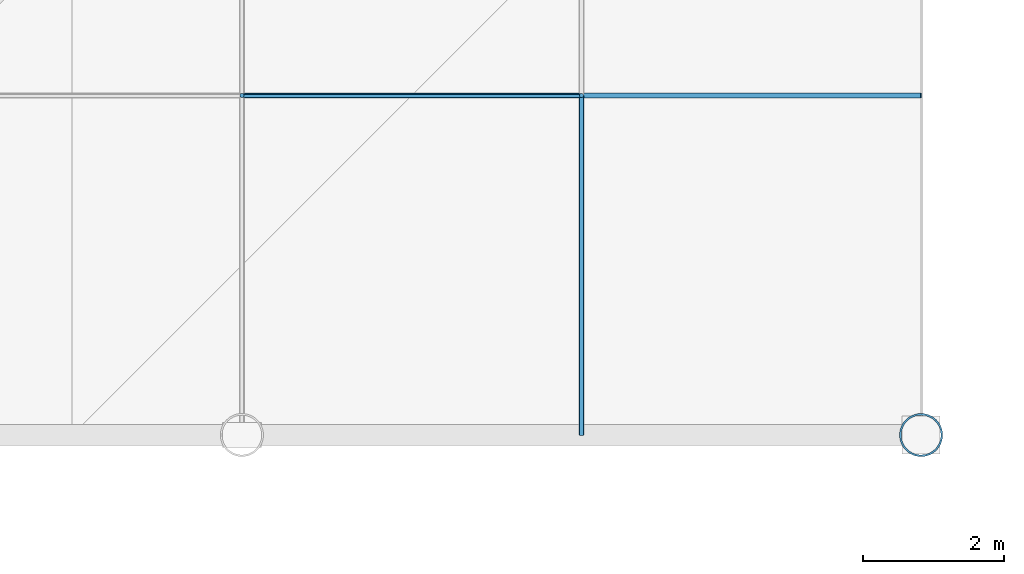
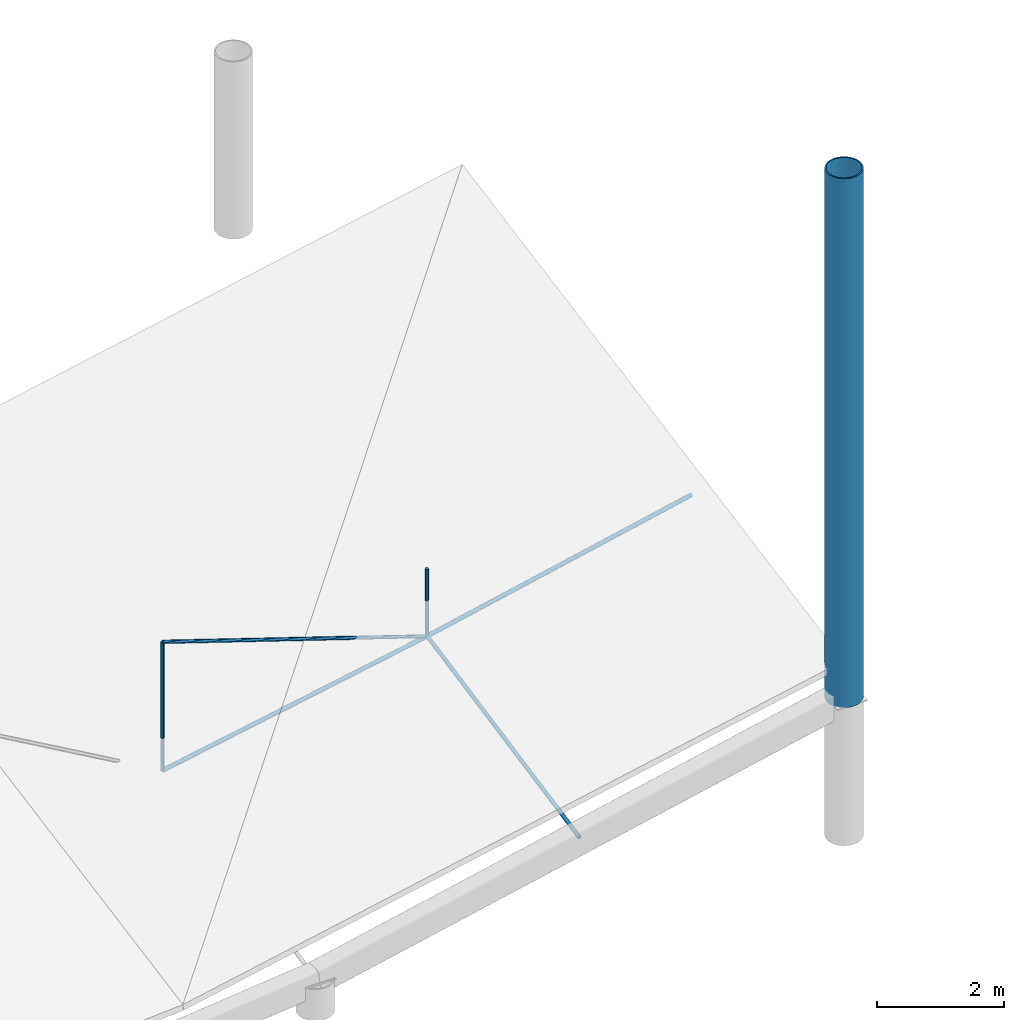
# One storey, part 18 of 40: 7 members.
"""IFC4 building model written with IfcOpenShell, lengths in metres."""

from ifc_helpers import new_model, si_unit, direction, frame, origin, origin_2d, place, context, subcontext, project, spatial, circle, hollow_circle, extrude, material, material_profile, profile_set, type_object, element, save


model = new_model("IFC4")

# Units and contexts
model_context = context("Model", 3, precision=1e-05, world=origin(), true_north=direction((0.0, 1.0)))
body_context = subcontext(model_context, "Body", "Model", "MODEL_VIEW")
ifc_project = project(units=[si_unit("LENGTHUNIT", "METRE"), si_unit("AREAUNIT", "SQUARE_METRE"), si_unit("VOLUMEUNIT", "CUBIC_METRE"), si_unit("PLANEANGLEUNIT", "RADIAN"), si_unit("MASSUNIT", "GRAM", prefix="KILO")], contexts=[model_context])

# Site, building, storey
site_placement = place(None, origin())
site = spatial("IfcSite", under=ifc_project, at=site_placement, CompositionType="ELEMENT")
building_placement = place(site_placement, origin())
building = spatial("IfcBuilding", under=site, at=building_placement, Name="Zevrakil Square Congress Hotel", CompositionType="ELEMENT")
storey_placement = place(building_placement, frame((0.0, 0.0, 18.10009765625)))
storey = spatial("IfcBuildingStorey", under=building, at=storey_placement, Name="L05", CompositionType="ELEMENT", Elevation=18.10009765625)

# Members
ifc_material_1 = material(Name="Steel S355", Category="steel")
ifc_material_profile_1 = material_profile(ifc_material_1, circle(Radius=0.030029296875, at=origin_2d()), Name="CABLE RD60")
ifc_profile_set_1 = profile_set([ifc_material_profile_1], Name="Steel S355")
member_type_1 = type_object("IfcMemberType", Name="MEM-CABLE-RD60", PredefinedType="USERDEFINED", material=ifc_profile_set_1)
member_1_placement = place(storey_placement, frame((156.0, 69.60009765625, 1.681884765625), z_axis=(0.0, 0.0, 1.0), x_axis=(1.0, 0.0, 0.0)))
element("IfcMember", 1, at=member_1_placement, inside=storey, type_object=member_type_1, Name="Congress cable-truss vertical tie CBW-01-8", ObjectType="ROOF CABLE", PredefinedType="USERDEFINED", context=body_context, shape_type="SweptSolid", body=[
    extrude(circle(Radius=0.030029296875, at=origin_2d()), origin(), (0.0, 0.0, 1.0), 2.46875),
])
member_2_placement = place(storey_placement, frame((160.800048828125, 69.60009765625, 2.577880859375), z_axis=(-0.95029004287, 0.0, 0.311366077828), x_axis=(0.0, -1.0, 0.0)))
element("IfcMember", 2, at=member_2_placement, inside=storey, type_object=member_type_1, Name="Congress cable-truss web diagonal CBD-01-9", ObjectType="ROOF CABLE", PredefinedType="USERDEFINED", context=body_context, shape_type="SweptSolid", body=[
    extrude(circle(Radius=0.030029296875, at=origin_2d()), origin(), (0.0, 0.0, 1.0), 5.051025390625),
])
member_3_placement = place(storey_placement, frame((160.800048828125, 69.60009765625, 2.577880859375), z_axis=(0.0, 0.0, 1.0), x_axis=(1.0, 0.0, 0.0)))
element("IfcMember", 3, at=member_3_placement, inside=storey, type_object=member_type_1, Name="Congress cable-truss vertical tie CBW-01-9", ObjectType="ROOF CABLE", PredefinedType="USERDEFINED", context=body_context, shape_type="SweptSolid", body=[
    extrude(circle(Radius=0.030029296875, at=origin_2d()), origin(), (0.0, 0.0, 1.0), 1.2978515625),
])
ifc_material_2 = material(Name="Steel S355", Category="steel")
ifc_material_profile_2 = material_profile(ifc_material_2, circle(Radius=0.033935546875, at=origin_2d()), Name="CABLE RD68")
ifc_profile_set_2 = profile_set([ifc_material_profile_2], Name="Steel S355")
member_type_2 = type_object("IfcMemberType", Name="MEM-CABLE-RD68", PredefinedType="USERDEFINED", material=ifc_profile_set_2)
member_4_placement = place(storey_placement, frame((160.800048828125, 64.800048828125, 1.6259765625), z_axis=(0.0, 0.980505798462, 0.196490150345), x_axis=(-1.0, 0.0, 0.0)))
element("IfcMember", 4, at=member_4_placement, inside=storey, type_object=member_type_2, Name="Congress saddle stabilizing cable CBH-09 seg 1", ObjectType="ROOF CABLE", PredefinedType="USERDEFINED", context=body_context, shape_type="SweptSolid", body=[
    extrude(circle(Radius=0.033935546875, at=origin_2d()), origin(), (0.0, 0.0, 1.0), 4.8955078125),
])
ifc_material_3 = material(Name="Steel S355", Category="steel")
ifc_material_profile_3 = material_profile(ifc_material_3, circle(Radius=0.0380859375, at=origin_2d()), Name="CABLE RD76")
ifc_profile_set_3 = profile_set([ifc_material_profile_3], Name="Steel S355")
member_type_3 = type_object("IfcMemberType", Name="MEM-CABLE-RD76", PredefinedType="USERDEFINED", material=ifc_profile_set_3)
member_5_placement = place(storey_placement, frame((156.0, 69.60009765625, 1.681884765625), z_axis=(0.983020729765, 0.0, 0.183494536302), x_axis=(0.0, 1.0, 0.0)))
element("IfcMember", 5, at=member_5_placement, inside=storey, type_object=member_type_3, Name="Congress saddle carrying cable CBS-01 seg 9", ObjectType="ROOF CABLE", PredefinedType="USERDEFINED", context=body_context, shape_type="SweptSolid", body=[
    extrude(circle(Radius=0.0380859375, at=origin_2d()), origin(), (0.0, 0.0, 1.0), 4.883056640625),
])
member_6_placement = place(storey_placement, frame((160.800048828125, 69.60009765625, 2.577880859375), z_axis=(0.977660289196, 0.0, 0.210191243702), x_axis=(0.0, 1.0, 0.0)))
element("IfcMember", 6, at=member_6_placement, inside=storey, type_object=member_type_3, Name="Congress saddle carrying cable CBS-01 seg 10", ObjectType="ROOF CABLE", PredefinedType="USERDEFINED", context=body_context, shape_type="SweptSolid", body=[
    extrude(circle(Radius=0.0380859375, at=origin_2d()), origin(), (0.0, 0.0, 1.0), 4.90966796875),
])
ifc_material_4 = material(Name="Steel S355", Category="steel")
ifc_material_profile_4 = material_profile(ifc_material_4, hollow_circle(Radius=0.304931640625, WallThickness=0.02490234375, at=origin_2d()), Name="CHS 610x25")
ifc_profile_set_4 = profile_set([ifc_material_profile_4], Name="Steel S355")
member_type_4 = type_object("IfcMemberType", Name="MEM-MAST-CHS610", PredefinedType="CHORD", material=ifc_profile_set_4)
member_7_placement = place(storey_placement, frame((165.60009765625, 64.800048828125, 2.64990234375), z_axis=(0.0, 0.0, 1.0), x_axis=(1.0, 0.0, 0.0)))
element("IfcMember", 7, at=member_7_placement, inside=storey, type_object=member_type_4, Name="Congress Hall stayed corner mast MS-02", PredefinedType="CHORD", context=body_context, shape_type="SweptSolid", body=[
    extrude(hollow_circle(Radius=0.304931640625, WallThickness=0.02490234375, at=origin_2d()), origin(), (0.0, 0.0, 1.0), 10.14990234375),
])

save(model, "model.ifc")
